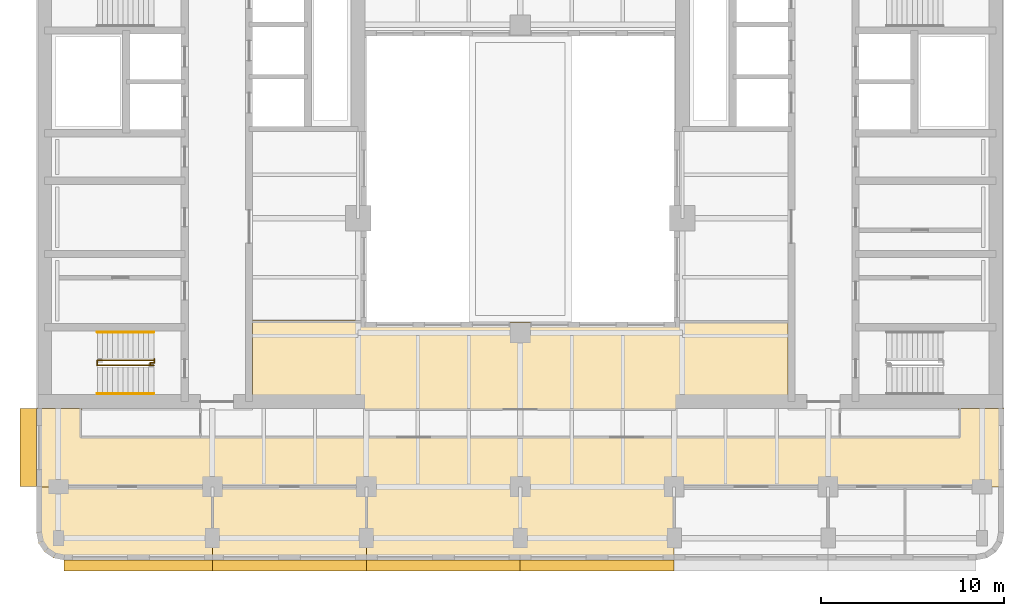
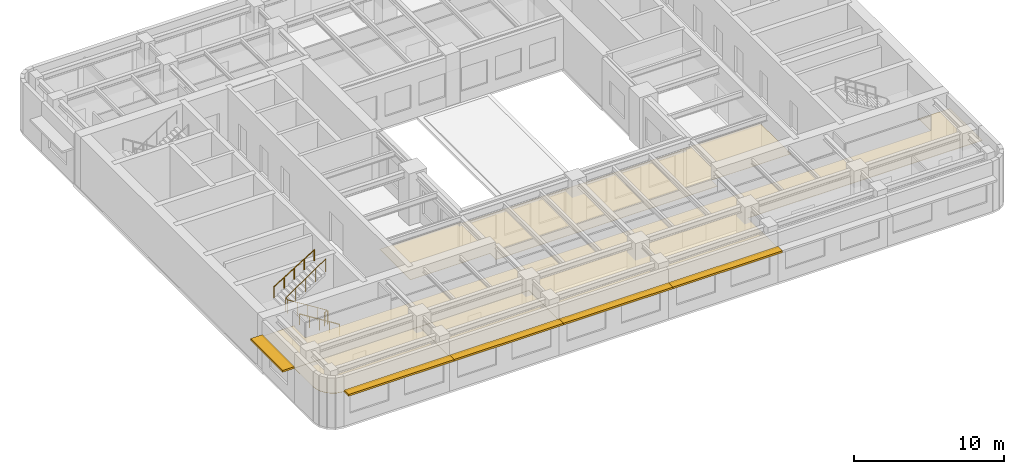
# One storey, part 9 of 11: 5 shading devices, 4 coverings, 4 railings.
"""IFC4 building model written with IfcOpenShell, lengths in metres."""

from ifc_helpers import new_model, si_unit, direction, frame, origin, origin_2d, place, context, subcontext, project, spatial, polyline, rectangle, circle, outline, extrude, material, layer, layer_set, type_object, element, save


model = new_model("IFC4")

# Units and contexts
model_context = context("Model", 3, precision=1e-05, world=origin(), true_north=direction((0.0, 1.0)))
body_context = subcontext(model_context, "Body", "Model", "MODEL_VIEW")
ifc_project = project(units=[si_unit("LENGTHUNIT", "METRE"), si_unit("AREAUNIT", "SQUARE_METRE"), si_unit("VOLUMEUNIT", "CUBIC_METRE"), si_unit("PLANEANGLEUNIT", "RADIAN"), si_unit("MASSUNIT", "GRAM", prefix="KILO")], contexts=[model_context])

# Site, building, storey
site_placement = place(None, origin())
site = spatial("IfcSite", under=ifc_project, at=site_placement, CompositionType="ELEMENT")
building_placement = place(site_placement, origin())
building = spatial("IfcBuilding", under=site, at=building_placement, Name="Claustro Exchange Tower", CompositionType="ELEMENT")
storey_placement = place(building_placement, frame((0.0, 0.0, 177.60009765625)))
storey = spatial("IfcBuildingStorey", under=building, at=storey_placement, Name="L40", CompositionType="ELEMENT", Elevation=177.60009765625)

# Coverings
ifc_material_1 = material(Name="Perforated metal ceiling tiles", Category="steel")
ifc_layer_1 = layer(ifc_material_1, 0.030029296875)
ifc_layer_set_1 = layer_set([ifc_layer_1], Name="Perforated metal ceiling tiles")
covering_type_1 = type_object("IfcCoveringType", Name="CL1 suspended metal ceiling", PredefinedType="CEILING", material=ifc_layer_set_1)
covering_1_placement = place(storey_placement, frame((0.0, 0.0, 2.7998046875)))
element("IfcCovering", 1, at=covering_1_placement, inside=storey, type_object=covering_type_1, Name="Ceiling CL1 L40-06", PredefinedType="CEILING", context=body_context, shape_type="SweptSolid", body=[
    extrude(outline(polyline([(1.199951171875, 11.10009765625), (1.199951171875, 12.60009765625), (1.294921875, 12.60009765625), (1.294921875, 12.675048828125), (-1.125, 12.675048828125), (-1.125, 12.695068359375), (-1.199951171875, 12.695068359375), (-1.199951171875, 8.39990234375), (16.800048828125, 8.39990234375), (16.800048828125, 4.39990234375), (33.60009765625, 4.39990234375), (33.60009765625, 8.39990234375), (51.60009765625, 8.39990234375), (51.60009765625, 12.695068359375), (51.52490234375, 12.695068359375), (51.52490234375, 12.675048828125), (49.10498046875, 12.675048828125), (49.10498046875, 12.60009765625), (49.199951171875, 12.60009765625), (49.199951171875, 11.10009765625), (1.199951171875, 11.10009765625)])), origin(), (0.0, 0.0, 1.0), 0.030029296875),
])
ifc_material_2 = material(Name="Gypsum board ceiling", Category="gypsum board")
ifc_layer_2 = layer(ifc_material_2, 0.02490234375)
ifc_layer_set_2 = layer_set([ifc_layer_2], Name="Gypsum board ceiling")
covering_type_2 = type_object("IfcCoveringType", Name="CL2 plasterboard ceiling", PredefinedType="CEILING", material=ifc_layer_set_2)
covering_2_placement = place(storey_placement, frame((0.0, 0.0, 2.7998046875)))
element("IfcCovering", 2, at=covering_2_placement, inside=storey, type_object=covering_type_2, Name="Ceiling CL2 L40-01", PredefinedType="CEILING", context=body_context, shape_type="SweptSolid", body=[
    extrude(outline(polyline([(-1.085693359375, 5.325927734375), (-0.7607421875, 4.83935546875), (-0.27392578125, 4.51416015625), (0.300048828125, 4.39990234375), (8.39990234375, 4.39990234375), (8.39990234375, 8.39990234375), (-1.199951171875, 8.39990234375), (-1.199951171875, 5.89990234375), (-1.085693359375, 5.325927734375)])), origin(), (0.0, 0.0, 1.0), 0.025146484375),
])
covering_3_placement = place(storey_placement, frame((0.0, 0.0, 2.7998046875)))
element("IfcCovering", 3, at=covering_3_placement, inside=storey, type_object=covering_type_2, Name="Ceiling CL2 L40-02", PredefinedType="CEILING", context=body_context, shape_type="SweptSolid", body=[
    extrude(outline(polyline([(8.39990234375, 4.39990234375), (16.800048828125, 4.39990234375), (16.800048828125, 8.39990234375), (8.39990234375, 8.39990234375), (8.39990234375, 4.39990234375)])), origin(), (0.0, 0.0, 1.0), 0.025146484375),
])
covering_4_placement = place(storey_placement, frame((0.0, 0.0, 2.7998046875)))
element("IfcCovering", 4, at=covering_4_placement, inside=storey, type_object=covering_type_2, Name="Ceiling CL2 L40-10", PredefinedType="CEILING", context=body_context, shape_type="SweptSolid", body=[
    extrude(outline(polyline([(33.60009765625, 17.39990234375), (16.800048828125, 17.39990234375), (16.800048828125, 17.4951171875), (10.60009765625, 17.4951171875), (10.60009765625, 13.405029296875), (16.705078125, 13.405029296875), (16.705078125, 12.60009765625), (33.695068359375, 12.60009765625), (33.695068359375, 13.405029296875), (39.800048828125, 13.405029296875), (39.800048828125, 17.4951171875), (33.60009765625, 17.4951171875), (33.60009765625, 17.39990234375)])), origin(), (0.0, 0.0, 1.0), 0.025146484375),
])

# Railings
ifc_material_3 = material(Name="Steel balustrade, painted", Category="steel")
railing_type_1 = type_object("IfcRailingType", Name="GR2 1100 steel stair guard", PredefinedType="GUARDRAIL", material=ifc_material_3)
railing_1_placement = place(storey_placement, frame((5.199951171875, 15.02490234375, 0.1748046875)))
element("IfcRailing", 5, at=railing_1_placement, inside=storey, type_object=railing_type_1, Name="Stair well guard GR2 stair STWA L40", PredefinedType="GUARDRAIL", context=body_context, shape_type="SweptSolid", body=[
    extrude(circle(Radius=0.02392578125, at=origin_2d()), frame((0.0, 0.0, 1.076171875), z_axis=(-0.847979421464, 0.0, 0.530029150871), x_axis=(0.0, -1.0, 0.0)), (0.0, 0.0, 1.0), 3.632080078125),
    extrude(circle(Radius=0.02392578125, at=origin_2d()), frame((-3.079833984375, 0.0, 3.0009765625), z_axis=(0.0, 1.0, 0.0), x_axis=(-1.0, 0.0, 0.0)), (0.0, 0.0, 1.0), 0.275146484375),
    extrude(circle(Radius=0.02392578125, at=origin_2d()), frame((-3.079833984375, 0.275146484375, 3.0009765625), z_axis=(0.826201015165, 0.0, 0.563375436579), x_axis=(0.0, 1.0, 0.0)), (0.0, 0.0, 1.0), 3.727783203125),
    extrude(circle(Radius=0.02099609375, at=origin_2d()), origin(), (0.0, 0.0, 1.0), 1.052001953125),
    extrude(circle(Radius=0.02099609375, at=origin_2d()), frame((-0.77001953125, 0.0, 0.481201171875)), (0.0, 0.0, 1.0), 1.052001953125),
    extrude(circle(Radius=0.02099609375, at=origin_2d()), frame((-1.5400390625, 0.0, 0.96240234375)), (0.0, 0.0, 1.0), 1.052001953125),
    extrude(circle(Radius=0.02099609375, at=origin_2d()), frame((-2.309814453125, 0.0, 1.44384765625)), (0.0, 0.0, 1.0), 1.052001953125),
    extrude(circle(Radius=0.02099609375, at=origin_2d()), frame((-3.079833984375, 0.0, 1.925048828125)), (0.0, 0.0, 1.0), 1.052001953125),
    extrude(circle(Radius=0.02099609375, at=origin_2d()), frame((-3.079833984375, 0.275146484375, 1.925048828125)), (0.0, 0.0, 1.0), 1.052001953125),
    extrude(circle(Radius=0.02099609375, at=origin_2d()), frame((-2.309814453125, 0.275146484375, 2.4501953125)), (0.0, 0.0, 1.0), 1.052001953125),
    extrude(circle(Radius=0.02099609375, at=origin_2d()), frame((-1.5400390625, 0.275146484375, 2.97509765625)), (0.0, 0.0, 1.0), 1.052001953125),
    extrude(circle(Radius=0.02099609375, at=origin_2d()), frame((-0.77001953125, 0.275146484375, 3.5)), (0.0, 0.0, 1.0), 1.052001953125),
    extrude(circle(Radius=0.02099609375, at=origin_2d()), frame((0.0, 0.275146484375, 4.025146484375)), (0.0, 0.0, 1.0), 1.052001953125),
])
railing_2_placement = place(storey_placement, frame((5.0, 15.094970703125, 0.0)))
element("IfcRailing", 6, at=railing_2_placement, inside=storey, type_object=railing_type_1, Name="Stair guard GR2 STWA L40", PredefinedType="GUARDRAIL", context=body_context, shape_type="SweptSolid", body=[
    extrude(circle(Radius=0.02392578125, at=origin_2d()), frame((0.0, 0.0, 1.076171875), z_axis=(0.0, 1.0, 0.0), x_axis=(-1.0, 0.0, 0.0)), (0.0, 0.0, 1.0), 0.067626953125),
    extrude(circle(Radius=0.02392578125, at=origin_2d()), frame((0.0, 0.067626953125, 1.076171875), z_axis=(1.0, 0.0, 0.0), x_axis=(0.0, 1.0, 0.0)), (0.0, 0.0, 1.0), 0.22509765625),
    extrude(circle(Radius=0.02392578125, at=origin_2d()), frame((0.22509765625, 0.067626953125, 1.076171875), z_axis=(0.0, 1.0, 0.0), x_axis=(-1.0, 0.0, 0.0)), (0.0, 0.0, 1.0), 0.21728515625),
    extrude(circle(Radius=0.02099609375, at=origin_2d()), origin(), (0.0, 0.0, 1.0), 1.052001953125),
    extrude(circle(Radius=0.02099609375, at=origin_2d()), frame((0.0, 0.067626953125, 0.0)), (0.0, 0.0, 1.0), 1.052001953125),
    extrude(circle(Radius=0.02099609375, at=origin_2d()), frame((0.22509765625, 0.067626953125, 0.0)), (0.0, 0.0, 1.0), 1.052001953125),
    extrude(circle(Radius=0.02099609375, at=origin_2d()), frame((0.22509765625, 0.284912109375, 0.0)), (0.0, 0.0, 1.0), 1.052001953125),
])
ifc_material_4 = material(Name="Stainless steel tube", Category="steel")
railing_type_2 = type_object("IfcRailingType", Name="HR1 900 stair handrail", PredefinedType="HANDRAIL", material=ifc_material_4)
railing_3_placement = place(storey_placement, frame((5.199951171875, 13.485107421875, 0.1748046875)))
element("IfcRailing", 7, at=railing_3_placement, inside=storey, type_object=railing_type_2, Name="Handrail HR1 stair STWA L40", PredefinedType="HANDRAIL", context=body_context, shape_type="SweptSolid", body=[
    extrude(circle(Radius=0.02392578125, at=origin_2d()), frame((0.0, 0.0, 0.8759765625), z_axis=(-0.847979421464, 0.0, 0.530029150871), x_axis=(0.0, -1.0, 0.0)), (0.0, 0.0, 1.0), 3.632080078125),
    extrude(circle(Radius=0.02099609375, at=origin_2d()), origin(), (0.0, 0.0, 1.0), 0.851806640625),
    extrude(circle(Radius=0.02099609375, at=origin_2d()), frame((-0.77001953125, 0.0, 0.481201171875)), (0.0, 0.0, 1.0), 0.851806640625),
    extrude(circle(Radius=0.02099609375, at=origin_2d()), frame((-1.5400390625, 0.0, 0.96240234375)), (0.0, 0.0, 1.0), 0.851806640625),
    extrude(circle(Radius=0.02099609375, at=origin_2d()), frame((-2.309814453125, 0.0, 1.44384765625)), (0.0, 0.0, 1.0), 0.851806640625),
    extrude(circle(Radius=0.02099609375, at=origin_2d()), frame((-3.079833984375, 0.0, 1.925048828125)), (0.0, 0.0, 1.0), 0.851806640625),
])
railing_4_placement = place(storey_placement, frame((2.1201171875, 16.840087890625, 2.27490234375)))
element("IfcRailing", 8, at=railing_4_placement, inside=storey, type_object=railing_type_2, Name="Handrail HR1 stair STWA L40", PredefinedType="HANDRAIL", context=body_context, shape_type="SweptSolid", body=[
    extrude(circle(Radius=0.02392578125, at=origin_2d()), frame((0.0, 0.0, 0.8759765625), z_axis=(0.847979421464, 0.0, 0.530029150871), x_axis=(0.0, 1.0, 0.0)), (0.0, 0.0, 1.0), 3.632080078125),
    extrude(circle(Radius=0.02099609375, at=origin_2d()), origin(), (0.0, 0.0, 1.0), 0.851806640625),
    extrude(circle(Radius=0.02099609375, at=origin_2d()), frame((0.77001953125, 0.0, 0.481201171875)), (0.0, 0.0, 1.0), 0.851806640625),
    extrude(circle(Radius=0.02099609375, at=origin_2d()), frame((1.5400390625, 0.0, 0.96240234375)), (0.0, 0.0, 1.0), 0.851806640625),
    extrude(circle(Radius=0.02099609375, at=origin_2d()), frame((2.309814453125, 0.0, 1.44384765625)), (0.0, 0.0, 1.0), 0.851806640625),
    extrude(circle(Radius=0.02099609375, at=origin_2d()), frame((3.079833984375, 0.0, 1.925048828125)), (0.0, 0.0, 1.0), 0.851806640625),
])

# Shading devices
ifc_material_5 = material(Name="Concrete HA-40 (C40/50), precast, white cement, acid-etched", Category="concrete")
ifc_layer_3 = layer(ifc_material_5, 0.14990234375)
ifc_layer_set_3 = layer_set([ifc_layer_3], Name="Concrete HA-40 (C40/50), precast, white cement, acid-etched")
shading_device_type_1 = type_object("IfcShadingDeviceType", Name="SS1 600 precast concrete SUNSHADE", PredefinedType="SHUTTER", material=ifc_layer_set_3)
for number, where, z_axis, x_axis, name in (
    (9, (29.39990234375, 4.10009765625, 2.800048828125), (0.0, 0.0, 1.0), (-1.0, 0.0, 0.0), "Precast SUNSHADE SS1 L40"),
    (10, (21.0, 4.10009765625, 2.800048828125), (0.0, 0.0, 1.0), (-1.0, 0.0, 0.0), "Precast SUNSHADE SS1 L40"),
    (11, (12.60009765625, 4.10009765625, 2.800048828125), (0.0, 0.0, 1.0), (-1.0, 0.0, 0.0), "Precast SUNSHADE SS1 L40"),
):
    element("IfcShadingDevice", number, at=place(storey_placement, frame(where, z_axis=z_axis, x_axis=x_axis)), inside=storey, type_object=shading_device_type_1, Name=name, PredefinedType="SHUTTER", context=body_context, shape_type="SweptSolid", body=[
        extrude(rectangle(XDim=8.39990234375, YDim=0.60009765625, at=origin_2d()), origin(), (0.0, 0.0, 1.0), 0.14990234375),
    ])
shading_device_1_placement = place(storey_placement, frame((4.357421875, 4.10009765625, 2.800048828125), z_axis=(0.0, 0.0, 1.0), x_axis=(-1.0, 0.0, 0.0)))
element("IfcShadingDevice", 12, at=shading_device_1_placement, inside=storey, type_object=shading_device_type_1, Name="Precast SUNSHADE SS1 L40", PredefinedType="SHUTTER", context=body_context, shape_type="SweptSolid", body=[
    extrude(rectangle(XDim=8.085205078125, YDim=0.60009765625, at=origin_2d()), origin(), (0.0, 0.0, 1.0), 0.14990234375),
])
ifc_material_6 = material(Name="Concrete HA-40 (C40/50), precast, white cement, acid-etched", Category="concrete")
ifc_layer_4 = layer(ifc_material_6, 0.14990234375)
ifc_layer_set_4 = layer_set([ifc_layer_4], Name="Concrete HA-40 (C40/50), precast, white cement, acid-etched")
shading_device_type_2 = type_object("IfcShadingDeviceType", Name="SS2 900 precast concrete SUNSHADE", PredefinedType="SHUTTER", material=ifc_layer_set_4)
shading_device_2_placement = place(storey_placement, frame((-1.64990234375, 10.53759765625, 2.800048828125), z_axis=(0.0, 0.0, 1.0), x_axis=(0.0, 1.0, 0.0)))
element("IfcShadingDevice", 13, at=shading_device_2_placement, inside=storey, type_object=shading_device_type_2, Name="Precast SUNSHADE SS2 L40", PredefinedType="SHUTTER", context=body_context, shape_type="SweptSolid", body=[
    extrude(rectangle(XDim=4.27490234375, YDim=0.89990234375, at=origin_2d()), origin(), (0.0, 0.0, 1.0), 0.14990234375),
])

save(model, "model.ifc")
